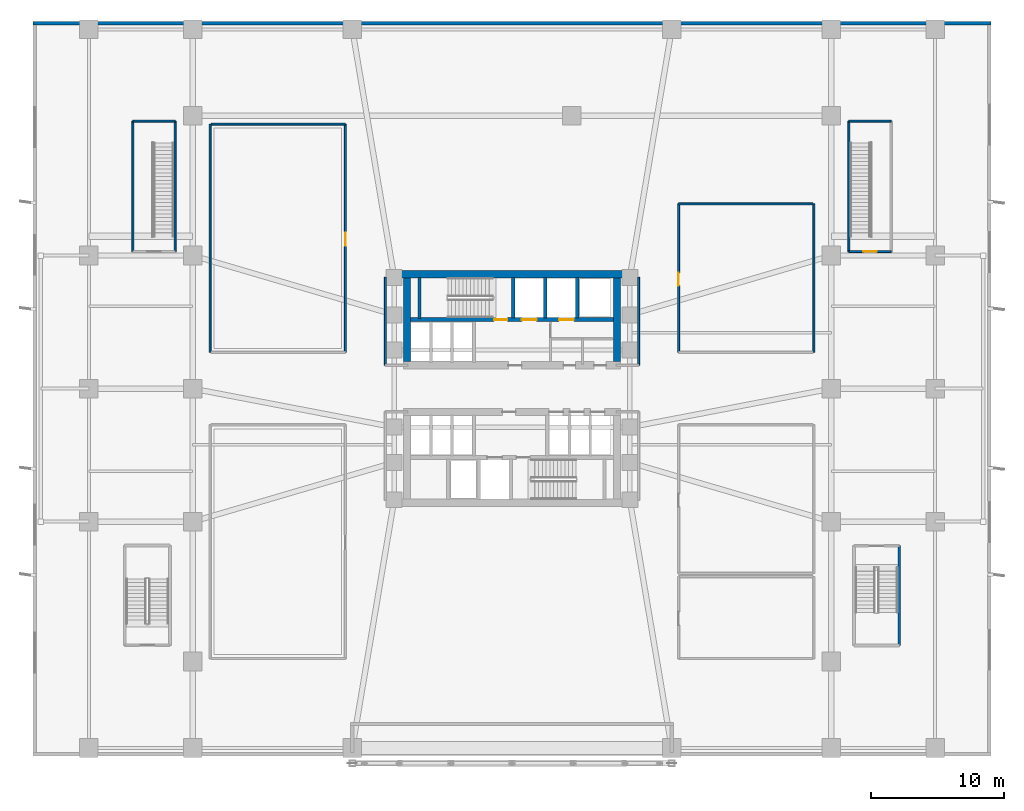
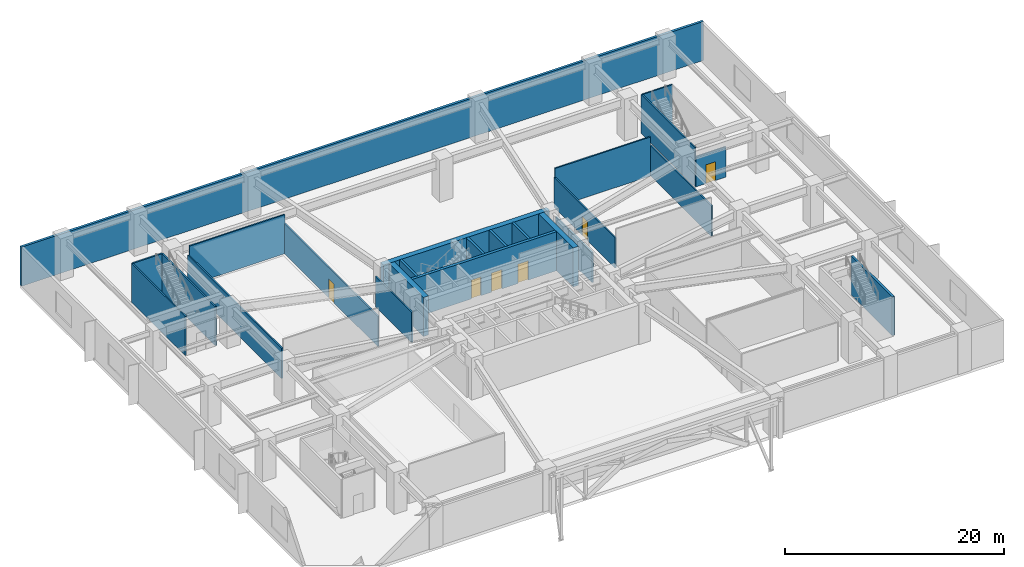
# One storey, part 14 of 21: 24 walls, 6 doors, 6 openings.
"""IFC4 building model written with IfcOpenShell, lengths in metres."""

from ifc_helpers import new_model, si_unit, direction, frame, frame_2d, origin, place, context, subcontext, project, spatial, rectangle, extrude, material, layer, layer_set, type_object, element, fill, save


model = new_model("IFC4")

# Units and contexts
model_context = context("Model", 3, precision=1e-05, world=origin(), true_north=direction((0.0, 1.0)))
body_context = subcontext(model_context, "Body", "Model", "MODEL_VIEW")
ifc_project = project(units=[si_unit("LENGTHUNIT", "METRE"), si_unit("AREAUNIT", "SQUARE_METRE"), si_unit("VOLUMEUNIT", "CUBIC_METRE"), si_unit("PLANEANGLEUNIT", "RADIAN"), si_unit("MASSUNIT", "GRAM", prefix="KILO")], contexts=[model_context])

# Site, building, storey
site_placement = place(None, origin())
site = spatial("IfcSite", under=ifc_project, at=site_placement, CompositionType="ELEMENT")
building_placement = place(site_placement, origin())
building = spatial("IfcBuilding", under=site, at=building_placement, Name="Solmarez Civic Tower", CompositionType="ELEMENT")
storey_placement = place(building_placement, frame((0.0, 0.0, 10.080078125)))
storey = spatial("IfcBuildingStorey", under=building, at=storey_placement, Name="L02", CompositionType="ELEMENT", Elevation=10.080078125)

# Walls
ifc_material_1 = material(Name="Concrete C60/75", Category="concrete")
ifc_layer_1 = layer(ifc_material_1, 0.550048828125)
ifc_layer_set_1 = layer_set([ifc_layer_1], Name="Concrete C60/75")
wall_type_1 = type_object("IfcWallType", Name="WALL-CORE-550", PredefinedType="SHEAR", material=ifc_layer_set_1)
wall_1_placement = place(storey_placement, frame((-8.780029296875, 8.5849609375, 0.0), z_axis=(0.0, 0.0, 1.0), x_axis=(1.0, 0.0, 0.0)))
element("IfcWall", 1, at=wall_1_placement, inside=storey, type_object=wall_type_1, Name="L02 Split-Core Structural Wall NCW-N-L02", PredefinedType="SHEAR", context=body_context, shape_type="SweptSolid", body=[
    extrude(rectangle(XDim=17.56005859375, YDim=0.550048828125, at=frame_2d((8.780029296875, 0.0))), origin(), (0.0, 0.0, 1.0), 4.35986328125),
])
for number, where, z_axis, x_axis, name in (
    (2, (-7.89501953125, 2.02490234375, 0.0), (0.0, 0.0, 1.0), (0.0, 1.0, 0.0), "L02 Split-Core Structural Wall NCW-W-L02"),
    (3, (7.89501953125, 8.31005859375, 0.0), (0.0, 0.0, 1.0), (0.0, -1.0, 0.0), "L02 Split-Core Structural Wall NCW-E-L02"),
):
    element("IfcWall", number, at=place(storey_placement, frame(where, z_axis=z_axis, x_axis=x_axis)), inside=storey, type_object=wall_type_1, Name=name, PredefinedType="SHEAR", context=body_context, shape_type="SweptSolid", body=[
        extrude(rectangle(XDim=6.28515625, YDim=0.550048828125, at=frame_2d((3.142578125, 0.0))), origin(), (0.0, 0.0, 1.0), 4.35986328125),
    ])
ifc_material_2 = material(Name="Precast concrete C40/50", Category="concrete")
ifc_layer_2 = layer(ifc_material_2, 0.260009765625)
ifc_layer_set_2 = layer_set([ifc_layer_2], Name="Precast concrete C40/50")
wall_type_2 = type_object("IfcWallType", Name="WALL-EXT-260", PredefinedType="SOLIDWALL", material=ifc_layer_set_2)
wall_2_placement = place(storey_placement, frame((-36.0, 27.469970703125, 0.0), z_axis=(0.0, 0.0, 1.0), x_axis=(1.0, 0.0, 0.0)))
element("IfcWall", 4, at=wall_2_placement, inside=storey, type_object=wall_type_2, Name="L02 North Exterior Precast Wall", PredefinedType="SOLIDWALL", context=body_context, shape_type="SweptSolid", body=[
    extrude(rectangle(XDim=72.0, YDim=0.260009765625, at=frame_2d((36.0, 0.0))), origin(), (0.0, 0.0, 1.0), 4.35986328125),
])
ifc_material_3 = material(Name="Gypsum Board Acoustic Steel-Stud Partition", Category="steel")
ifc_layer_3 = layer(ifc_material_3, 0.14990234375)
ifc_layer_set_3 = layer_set([ifc_layer_3], Name="Gypsum Board Acoustic Steel-Stud Partition")
wall_type_3 = type_object("IfcWallType", Name="WALL-INT-FIRE-150", PredefinedType="PARTITIONING", material=ifc_layer_set_3)
for number, where, z_axis, x_axis, name in (
    (5, (-28.47998046875, 10.300048828125, 0.0), (0.0, 0.0, 1.0), (0.0, 1.0, 0.0), "L02 Podium Stair P3 Shaft Wall"),
    (6, (-25.320068359375, 10.300048828125, 0.0), (0.0, 0.0, 1.0), (0.0, 1.0, 0.0), "L02 Podium Stair P3 Shaft Wall"),
):
    element("IfcWall", number, at=place(storey_placement, frame(where, z_axis=z_axis, x_axis=x_axis)), inside=storey, type_object=wall_type_3, Name=name, PredefinedType="PARTITIONING", context=body_context, shape_type="SweptSolid", body=[
        extrude(rectangle(XDim=9.800048828125, YDim=0.14990234375, at=frame_2d((4.89990234375, 0.0))), origin(), (0.0, 0.0, 1.0), 4.35986328125),
    ])
wall_3_placement = place(storey_placement, frame((-25.320068359375, 20.10009765625, 0.0), z_axis=(0.0, 0.0, 1.0), x_axis=(-1.0, 0.0, 0.0)))
element("IfcWall", 7, at=wall_3_placement, inside=storey, type_object=wall_type_3, Name="L02 Podium Stair P3 Shaft Wall", PredefinedType="PARTITIONING", context=body_context, shape_type="SweptSolid", body=[
    extrude(rectangle(XDim=3.159912109375, YDim=0.14990234375, at=frame_2d((1.580078125, 0.0))), origin(), (0.0, 0.0, 1.0), 4.35986328125),
])
wall_4_placement = place(storey_placement, frame((25.320068359375, 10.300048828125, 0.0), z_axis=(0.0, 0.0, 1.0), x_axis=(0.0, 1.0, 0.0)))
element("IfcWall", 8, at=wall_4_placement, inside=storey, type_object=wall_type_3, Name="L02 Podium Stair P4 Shaft Wall", PredefinedType="PARTITIONING", context=body_context, shape_type="SweptSolid", body=[
    extrude(rectangle(XDim=9.800048828125, YDim=0.14990234375, at=frame_2d((4.89990234375, 0.0))), origin(), (0.0, 0.0, 1.0), 4.35986328125),
])

# Wall, opening, door
wall_5_placement = place(storey_placement, frame((25.320068359375, 10.300048828125, 0.0), z_axis=(0.0, 0.0, 1.0), x_axis=(1.0, 0.0, 0.0)))
wall_5 = element("IfcWall", 9, at=wall_5_placement, inside=storey, type_object=wall_type_3, Name="L02 Podium Stair P4 Shaft Wall", PredefinedType="PARTITIONING", context=body_context, shape_type="SweptSolid", body=[
    extrude(rectangle(XDim=3.159912109375, YDim=0.14990234375, at=frame_2d((1.580078125, 0.0))), origin(), (0.0, 0.0, 1.0), 3.369873046875),
])
opening_1_placement = place(wall_5_placement, frame((1.080078125, 0.0, 0.0)))
opening_1 = element("IfcOpeningElement", 10, at=opening_1_placement, cuts=wall_5, Name="Opening D-05", PredefinedType="OPENING", context=body_context, shape_type="SweptSolid", body=[
    extrude(rectangle(XDim=1.0, YDim=2.10009765625, at=frame_2d((0.5, 1.050048828125))), frame((0.0, 0.0849609375, 0.0), z_axis=(0.0, -1.0, 0.0), x_axis=(1.0, 0.0, 0.0)), (0.0, 0.0, 1.0), 0.169921875),
])
ifc_material_4 = material(Name="Fire-Rated Stairwell Exit Door", Category="wood")
door_type_1 = type_object("IfcDoorType", Name="DOOR-FD90-1000", OperationType="NOTDEFINED", PredefinedType="DOOR", material=ifc_material_4)
door_1_placement = place(opening_1_placement, origin())
door_1 = element("IfcDoor", 11, at=door_1_placement, inside=storey, type_object=door_type_1, Name="L02 Podium Stair P4 Entry Door", OperationType="SINGLE_SWING_LEFT", OverallHeight=2.10009765625, OverallWidth=1.0, PredefinedType="DOOR", context=body_context, shape_type="SweptSolid", body=[
    extrude(rectangle(XDim=1.0, YDim=2.10009765625, at=frame_2d((0.5, 1.050048828125))), frame((0.0, 0.02490234375, 0.0), z_axis=(0.0, -1.0, 0.0), x_axis=(1.0, 0.0, 0.0)), (0.0, 0.0, 1.0), 0.050048828125),
])
fill(opening_1, door_1)

# Walls
wall_6_placement = place(storey_placement, frame((28.47998046875, 20.10009765625, 0.0), z_axis=(0.0, 0.0, 1.0), x_axis=(-1.0, 0.0, 0.0)))
element("IfcWall", 12, at=wall_6_placement, inside=storey, type_object=wall_type_3, Name="L02 Podium Stair P4 Shaft Wall", PredefinedType="PARTITIONING", context=body_context, shape_type="SweptSolid", body=[
    extrude(rectangle(XDim=3.159912109375, YDim=0.14990234375, at=frame_2d((1.580078125, 0.0))), origin(), (0.0, 0.0, 1.0), 4.35986328125),
])
for number, where, z_axis, x_axis, name in (
    (13, (-9.52001953125, 1.75, 0.0), (0.0, 0.0, 1.0), (0.0, 1.0, 0.0), "L02 Interior Partition CHW-L02-WN1"),
    (14, (9.52001953125, 1.75, 0.0), (0.0, 0.0, 1.0), (0.0, 1.0, 0.0), "L02 Interior Partition CHW-L02-EN1"),
):
    element("IfcWall", number, at=place(storey_placement, frame(where, z_axis=z_axis, x_axis=x_axis)), inside=storey, type_object=wall_type_3, Name=name, PredefinedType="PARTITIONING", context=body_context, shape_type="SweptSolid", body=[
        extrude(rectangle(XDim=6.6298828125, YDim=0.14990234375, at=frame_2d((3.31494140625, 0.0))), origin(), (0.0, 0.0, 1.0), 3.369873046875),
    ])
wall_7_placement = place(storey_placement, frame((-22.679931640625, 2.719970703125, 0.0), z_axis=(0.0, 0.0, 1.0), x_axis=(0.0, 1.0, 0.0)))
element("IfcWall", 15, at=wall_7_placement, inside=storey, type_object=wall_type_3, Name="L02 Interior Partition PT-L0X-L02-CHAM-B", PredefinedType="PARTITIONING", context=body_context, shape_type="SweptSolid", body=[
    extrude(rectangle(XDim=17.159912109375, YDim=0.14990234375, at=frame_2d((8.580078125, 0.0))), origin(), (0.0, 0.0, 1.0), 3.369873046875),
])
wall_8_placement = place(storey_placement, frame((22.679931640625, 2.719970703125, 0.0), z_axis=(0.0, 0.0, 1.0), x_axis=(0.0, 1.0, 0.0)))
element("IfcWall", 16, at=wall_8_placement, inside=storey, type_object=wall_type_3, Name="L02 Interior Partition PT-L0X-L02-NE1-B", PredefinedType="PARTITIONING", context=body_context, shape_type="SweptSolid", body=[
    extrude(rectangle(XDim=11.159912109375, YDim=0.14990234375, at=frame_2d((5.580078125, 0.0))), origin(), (0.0, 0.0, 1.0), 3.369873046875),
])

# Wall, opening, door
ifc_layer_4 = layer(ifc_material_3, 0.14501953125)
ifc_layer_set_4 = layer_set([ifc_layer_4], Name="Gypsum Board Acoustic Steel-Stud Partition")
wall_type_4 = type_object("IfcWallType", Name="WALL-INT-PART-150", PredefinedType="PARTITIONING", material=ifc_layer_set_4)
wall_9_placement = place(storey_placement, frame((-12.52001953125, 19.8798828125, 0.0), z_axis=(0.0, 0.0, 1.0), x_axis=(0.0, -1.0, 0.0)))
wall_9 = element("IfcWall", 17, at=wall_9_placement, inside=storey, type_object=wall_type_4, Name="L02 Interior Partition PT-L0X-L02-CHAM-F", PredefinedType="PARTITIONING", context=body_context, shape_type="SweptSolid", body=[
    extrude(rectangle(XDim=17.159912109375, YDim=0.14501953125, at=frame_2d((8.580078125, 0.0))), origin(), (0.0, 0.0, 1.0), 3.369873046875),
])
opening_2_placement = place(wall_9_placement, frame((8.159912109375, 0.0, 0.0)))
opening_2 = element("IfcOpeningElement", 18, at=opening_2_placement, cuts=wall_9, Name="Opening D-04", PredefinedType="OPENING", context=body_context, shape_type="SweptSolid", body=[
    extrude(rectangle(XDim=1.0, YDim=2.10009765625, at=frame_2d((0.5, 1.050048828125))), frame((0.0, 0.08251953125, 0.0), z_axis=(0.0, -1.0, 0.0), x_axis=(1.0, 0.0, 0.0)), (0.0, 0.0, 1.0), 0.1650390625),
])
ifc_material_5 = material(Name="Steel-Faced Acoustic Fire Door", Category="steel")
door_type_2 = type_object("IfcDoorType", Name="DOOR-FD60-1000", OperationType="NOTDEFINED", PredefinedType="DOOR", material=ifc_material_5)
door_2_placement = place(opening_2_placement, origin())
door_2 = element("IfcDoor", 19, at=door_2_placement, inside=storey, type_object=door_type_2, Name="L02 Municipal Council Chamber Auditorium Door", OperationType="SINGLE_SWING_LEFT", OverallHeight=2.10009765625, OverallWidth=1.0, PredefinedType="DOOR", context=body_context, shape_type="SweptSolid", body=[
    extrude(rectangle(XDim=1.0, YDim=2.10009765625, at=frame_2d((0.5, 1.050048828125))), frame((0.0, 0.02490234375, 0.0), z_axis=(0.0, -1.0, 0.0), x_axis=(1.0, 0.0, 0.0)), (0.0, 0.0, 1.0), 0.050048828125),
])
fill(opening_2, door_2)

# Wall
wall_10_placement = place(storey_placement, frame((-22.60009765625, 19.8798828125, 0.0), z_axis=(0.0, 0.0, 1.0), x_axis=(1.0, 0.0, 0.0)))
element("IfcWall", 20, at=wall_10_placement, inside=storey, type_object=wall_type_4, Name="L02 Interior Partition PT-L0X-L02-CHAM-N", PredefinedType="PARTITIONING", context=body_context, shape_type="SweptSolid", body=[
    extrude(rectangle(XDim=10.080078125, YDim=0.14501953125, at=frame_2d((5.0400390625, 0.0))), origin(), (0.0, 0.0, 1.0), 4.35986328125),
])

# Wall, opening, door
wall_11_placement = place(storey_placement, frame((12.52001953125, 2.719970703125, 0.0), z_axis=(0.0, 0.0, 1.0), x_axis=(0.0, 1.0, 0.0)))
wall_11 = element("IfcWall", 21, at=wall_11_placement, inside=storey, type_object=wall_type_4, Name="L02 Interior Partition PT-L0X-L02-NE1-F", PredefinedType="PARTITIONING", context=body_context, shape_type="SweptSolid", body=[
    extrude(rectangle(XDim=11.159912109375, YDim=0.14501953125, at=frame_2d((5.580078125, 0.0))), origin(), (0.0, 0.0, 1.0), 3.369873046875),
])
opening_3_placement = place(wall_11_placement, frame((5.0, 0.0, 0.0)))
opening_3 = element("IfcOpeningElement", 22, at=opening_3_placement, cuts=wall_11, Name="Opening D-04", PredefinedType="OPENING", context=body_context, shape_type="SweptSolid", body=[
    extrude(rectangle(XDim=1.0, YDim=2.10009765625, at=frame_2d((0.5, 1.050048828125))), frame((0.0, 0.08251953125, 0.0), z_axis=(0.0, -1.0, 0.0), x_axis=(1.0, 0.0, 0.0)), (0.0, 0.0, 1.0), 0.1650390625),
])
door_3_placement = place(opening_3_placement, origin())
door_3 = element("IfcDoor", 23, at=door_3_placement, inside=storey, type_object=door_type_2, Name="L02 Councillors Deliberation Chamber Boardroom Door", OperationType="SINGLE_SWING_RIGHT", OverallHeight=2.10009765625, OverallWidth=1.0, PredefinedType="DOOR", context=body_context, shape_type="SweptSolid", body=[
    extrude(rectangle(XDim=1.0, YDim=2.10009765625, at=frame_2d((0.5, 1.050048828125))), frame((0.0, 0.02490234375, 0.0), z_axis=(0.0, -1.0, 0.0), x_axis=(1.0, 0.0, 0.0)), (0.0, 0.0, 1.0), 0.050048828125),
])
fill(opening_3, door_3)

# Wall
wall_12_placement = place(storey_placement, frame((12.52001953125, 13.8798828125, 0.0), z_axis=(0.0, 0.0, 1.0), x_axis=(1.0, 0.0, 0.0)))
element("IfcWall", 24, at=wall_12_placement, inside=storey, type_object=wall_type_4, Name="L02 Interior Partition PT-L0X-L02-NE1-N", PredefinedType="PARTITIONING", context=body_context, shape_type="SweptSolid", body=[
    extrude(rectangle(XDim=10.080078125, YDim=0.14501953125, at=frame_2d((5.0400390625, 0.0))), origin(), (0.0, 0.0, 1.0), 4.35986328125),
])

# Wall, openings, doors
ifc_material_6 = material(Name="Concrete C50/60", Category="concrete")
ifc_layer_5 = layer(ifc_material_6, 0.300048828125)
ifc_layer_set_5 = layer_set([ifc_layer_5], Name="Concrete C50/60")
wall_type_5 = type_object("IfcWallType", Name="WALL-STR-300", PredefinedType="SOLIDWALL", material=ifc_layer_set_5)
wall_13_placement = place(storey_placement, frame((7.6201171875, 5.179931640625, 0.0), z_axis=(0.0, 0.0, 1.0), x_axis=(-1.0, 0.0, 0.0)))
wall_13 = element("IfcWall", 25, at=wall_13_placement, inside=storey, type_object=wall_type_5, Name="L02 Split-Core Structural Wall NCW-M-L02", PredefinedType="SOLIDWALL", context=body_context, shape_type="SweptSolid", body=[
    extrude(rectangle(XDim=15.240234375, YDim=0.300048828125, at=frame_2d((7.6201171875, 0.0))), origin(), (0.0, 0.0, 1.0), 4.35986328125),
])
opening_4_placement = place(wall_13_placement, frame((5.77001953125, 0.0, 0.0)))
opening_4 = element("IfcOpeningElement", 26, at=opening_4_placement, cuts=wall_13, Name="Opening LD-02", PredefinedType="OPENING", context=body_context, shape_type="SweptSolid", body=[
    extrude(rectangle(XDim=1.10009765625, YDim=2.14990234375, at=frame_2d((0.550048828125, 1.074951171875))), frame((0.0, 0.159912109375, 0.0), z_axis=(0.0, -1.0, 0.0), x_axis=(1.0, 0.0, 0.0)), (0.0, 0.0, 1.0), 0.320068359375),
])
opening_5_placement = place(wall_13_placement, frame((2.969970703125, 0.0, 0.0)))
opening_5 = element("IfcOpeningElement", 27, at=opening_5_placement, cuts=wall_13, Name="Opening LD-03", PredefinedType="OPENING", context=body_context, shape_type="SweptSolid", body=[
    extrude(rectangle(XDim=1.10009765625, YDim=2.14990234375, at=frame_2d((0.550048828125, 1.074951171875))), frame((0.0, 0.159912109375, 0.0), z_axis=(0.0, -1.0, 0.0), x_axis=(1.0, 0.0, 0.0)), (0.0, 0.0, 1.0), 0.320068359375),
])
opening_6_placement = place(wall_13_placement, frame((7.969970703125, 0.0, 0.0)))
opening_6 = element("IfcOpeningElement", 28, at=opening_6_placement, cuts=wall_13, Name="Opening D-05", PredefinedType="OPENING", context=body_context, shape_type="SweptSolid", body=[
    extrude(rectangle(XDim=1.0, YDim=2.10009765625, at=frame_2d((0.5, 1.050048828125))), frame((0.0, 0.159912109375, 0.0), z_axis=(0.0, -1.0, 0.0), x_axis=(1.0, 0.0, 0.0)), (0.0, 0.0, 1.0), 0.320068359375),
])
door_4_placement = place(opening_6_placement, origin())
door_4 = element("IfcDoor", 29, at=door_4_placement, inside=storey, type_object=door_type_1, Name="L02 North Exit Stair Door ST-1", OperationType="SINGLE_SWING_LEFT", OverallHeight=2.10009765625, OverallWidth=1.0, PredefinedType="DOOR", context=body_context, shape_type="SweptSolid", body=[
    extrude(rectangle(XDim=1.0, YDim=2.10009765625, at=frame_2d((0.5, 1.050048828125))), frame((0.0, 0.02490234375, 0.0), z_axis=(0.0, -1.0, 0.0), x_axis=(1.0, 0.0, 0.0)), (0.0, 0.0, 1.0), 0.050048828125),
])
fill(opening_6, door_4)
ifc_material_7 = material(Name="Stainless Firefighting Lift Landing Sliding Door", Category="aluminium")
door_type_3 = type_object("IfcDoorType", Name="DOOR-LD-FF-1100", OperationType="DOUBLE_DOOR_SLIDING", PredefinedType="DOOR", material=ifc_material_7)
door_5_placement = place(opening_4_placement, origin())
door_5 = element("IfcDoor", 30, at=door_5_placement, inside=storey, type_object=door_type_3, Name="L02 Firefighting Lift Landing Door FFL-1", OperationType="DOUBLE_DOOR_SLIDING", OverallHeight=2.14990234375, OverallWidth=1.10009765625, PredefinedType="DOOR", context=body_context, shape_type="SweptSolid", body=[
    extrude(rectangle(XDim=1.10009765625, YDim=2.14990234375, at=frame_2d((0.550048828125, 1.074951171875))), frame((0.0, 0.02490234375, 0.0), z_axis=(0.0, -1.0, 0.0), x_axis=(1.0, 0.0, 0.0)), (0.0, 0.0, 1.0), 0.050048828125),
])
fill(opening_4, door_5)
ifc_material_8 = material(Name="Stainless Stretcher Lift Landing Sliding Door", Category="aluminium")
door_type_4 = type_object("IfcDoorType", Name="DOOR-LD-SV-1100", OperationType="DOUBLE_DOOR_SLIDING", PredefinedType="DOOR", material=ifc_material_8)
door_6_placement = place(opening_5_placement, origin())
door_6 = element("IfcDoor", 31, at=door_6_placement, inside=storey, type_object=door_type_4, Name="L02 Service Stretcher Lift Landing Door SVL-1", OperationType="DOUBLE_DOOR_SLIDING", OverallHeight=2.14990234375, OverallWidth=1.10009765625, PredefinedType="DOOR", context=body_context, shape_type="SweptSolid", body=[
    extrude(rectangle(XDim=1.10009765625, YDim=2.14990234375, at=frame_2d((0.550048828125, 1.074951171875))), frame((0.0, 0.02490234375, 0.0), z_axis=(0.0, -1.0, 0.0), x_axis=(1.0, 0.0, 0.0)), (0.0, 0.0, 1.0), 0.050048828125),
])
fill(opening_5, door_6)

# Walls
wall_14_placement = place(storey_placement, frame((-6.949951171875, 5.280029296875, 0.0), z_axis=(0.0, 0.0, 1.0), x_axis=(0.0, 1.0, 0.0)))
element("IfcWall", 32, at=wall_14_placement, inside=storey, type_object=wall_type_5, Name="L02 Split-Core Structural Wall SHW-NW-L02", PredefinedType="SOLIDWALL", context=body_context, shape_type="SweptSolid", body=[
    extrude(rectangle(XDim=3.06005859375, YDim=0.219970703125, at=frame_2d((1.530029296875, 0.0))), origin(), (0.0, 0.0, 1.0), 4.35986328125),
])
for number, where, z_axis, x_axis, name in (
    (33, (0.10009765625, 5.300048828125, 0.0), (0.0, 0.0, 1.0), (0.0, 1.0, 0.0), "L02 Split-Core Structural Wall SHW-N1-L02"),
    (34, (2.5, 5.300048828125, 0.0), (0.0, 0.0, 1.0), (0.0, 1.0, 0.0), "L02 Split-Core Structural Wall SHW-N2-L02"),
    (35, (4.89990234375, 5.300048828125, 0.0), (0.0, 0.0, 1.0), (0.0, 1.0, 0.0), "L02 Split-Core Structural Wall SHW-N3-L02"),
):
    element("IfcWall", number, at=place(storey_placement, frame(where, z_axis=z_axis, x_axis=x_axis)), inside=storey, type_object=wall_type_5, Name=name, PredefinedType="SOLIDWALL", context=body_context, shape_type="SweptSolid", body=[
        extrude(rectangle(XDim=3.0400390625, YDim=0.25, at=frame_2d((1.52001953125, 0.0))), origin(), (0.0, 0.0, 1.0), 4.35986328125),
    ])
wall_15_placement = place(storey_placement, frame((29.10009765625, -19.300048828125, 0.0), z_axis=(0.0, 0.0, 1.0), x_axis=(0.0, 1.0, 0.0)))
element("IfcWall", 36, at=wall_15_placement, inside=storey, type_object=wall_type_5, Name="L02 Podium Stair Structural Wall STP2-E", PredefinedType="SOLIDWALL", context=body_context, shape_type="SweptSolid", body=[
    extrude(rectangle(XDim=7.5, YDim=0.219970703125, at=frame_2d((3.75, 0.0))), origin(), (0.0, 0.0, 1.0), 4.35986328125),
])

save(model, "model.ifc")
